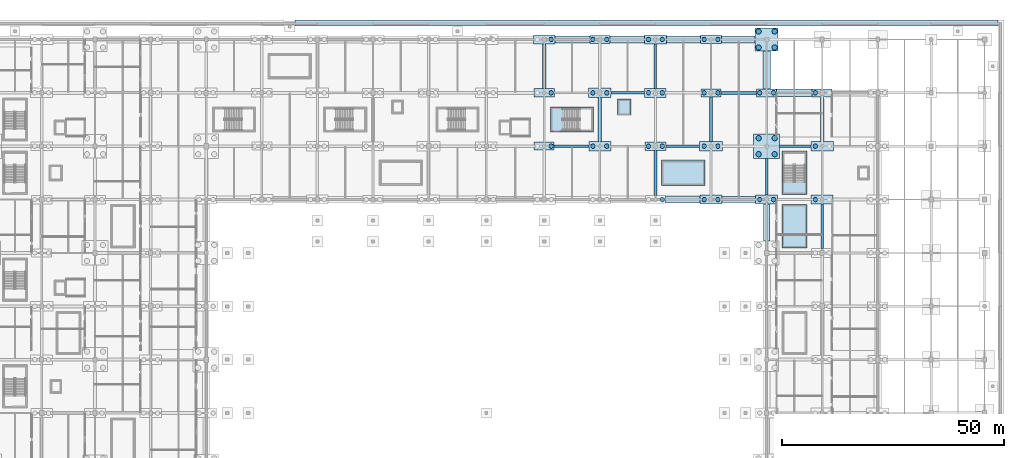
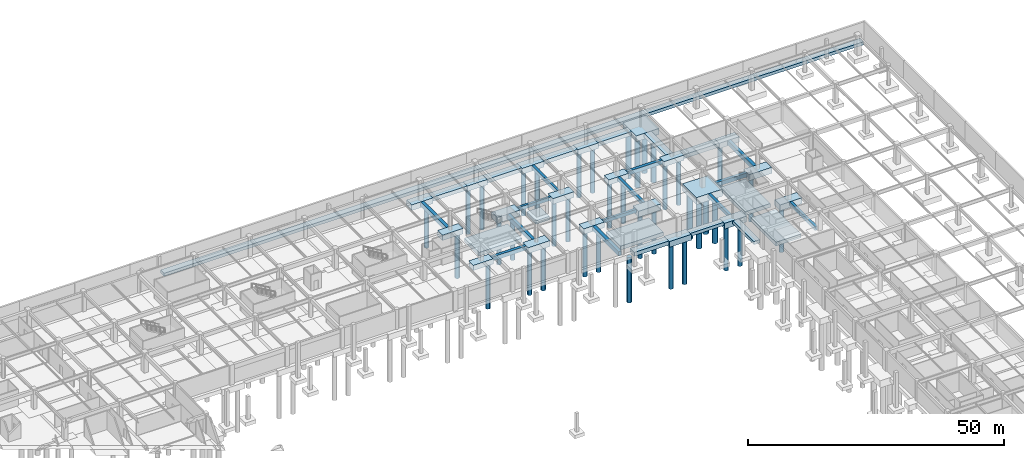
# One storey, part 10 of 56: 48 footings, 39 piles.
"""IFC4 building model written with IfcOpenShell, lengths in metres."""

from ifc_helpers import new_model, si_unit, direction, frame, origin, origin_2d, place, context, subcontext, project, spatial, polyline, rectangle, circle, outline, extrude, material, material_profile, profile_set, type_object, element, save


model = new_model("IFC4")

# Units and contexts
model_context = context("Model", 3, precision=1e-05, world=origin(), true_north=direction((0.0, 1.0)))
body_context = subcontext(model_context, "Body", "Model", "MODEL_VIEW")
ifc_project = project(units=[si_unit("LENGTHUNIT", "METRE"), si_unit("AREAUNIT", "SQUARE_METRE"), si_unit("VOLUMEUNIT", "CUBIC_METRE"), si_unit("PLANEANGLEUNIT", "RADIAN"), si_unit("MASSUNIT", "GRAM", prefix="KILO")], contexts=[model_context])

# Site, building, storey
site_placement = place(None, origin())
site = spatial("IfcSite", under=ifc_project, at=site_placement, CompositionType="ELEMENT")
building_placement = place(site_placement, origin())
building = spatial("IfcBuilding", under=site, at=building_placement, Name="Kazenohara Klinker Stadium", CompositionType="ELEMENT")
storey_placement = place(building_placement, frame((0.0, 0.0, -4.800048828125)))
storey = spatial("IfcBuildingStorey", under=building, at=storey_placement, Name="B01", CompositionType="ELEMENT", Elevation=-4.800048828125)

# Footings
ifc_material = material(Name="Concrete C35/45", Category="concrete")
footing_type_1 = type_object("IfcFootingType", Name="CAP-PC01", PredefinedType="PILE_CAP", material=ifc_material)
for number, where, z_axis, x_axis, name in (
    (1, (125.0, 144.0, -1.25), (0.0, 0.0, 1.0), (1.0, 0.0, 0.0), "Pile cap PC01 at 11/N"),
    (2, (137.5, 168.0, -1.25), (0.0, 0.0, 1.0), (1.0, 0.0, 0.0), "Pile cap PC01 at 12/Q"),
    (3, (162.5, 156.0, -1.25), (0.0, 0.0, 1.0), (1.0, 0.0, 0.0), "Pile cap PC01 at 14/P"),
    (4, (175.0, 156.0, -1.25), (0.0, 0.0, 1.0), (1.0, 0.0, 0.0), "Pile cap PC01 at 15/P"),
    (5, (187.5, 156.0, -1.25), (0.0, 0.0, 1.0), (1.0, 0.0, 0.0), "Pile cap PC01 at 16/P"),
):
    element("IfcFooting", number, at=place(storey_placement, frame(where, z_axis=z_axis, x_axis=x_axis)), inside=storey, type_object=footing_type_1, Name=name, PredefinedType="PILE_CAP", context=body_context, shape_type="SweptSolid", body=[
        extrude(rectangle(XDim=4.5, YDim=1.800048828125, at=origin_2d()), origin(), (0.0, 0.0, 1.0), 1.25),
    ])
footing_type_2 = type_object("IfcFootingType", Name="CAP-PC02", PredefinedType="PILE_CAP", material=ifc_material)
for number, where, z_axis, x_axis, name in (
    (6, (125.0, 156.0, -1.2998046875), (0.0, 0.0, 1.0), (1.0, 0.0, 0.0), "Pile cap PC02 at 11/P"),
    (7, (150.0, 144.0, -1.2998046875), (0.0, 0.0, 1.0), (1.0, 0.0, 0.0), "Pile cap PC02 at 13/N"),
    (8, (162.5, 168.0, -1.2998046875), (0.0, 0.0, 1.0), (1.0, 0.0, 0.0), "Pile cap PC02 at 14/Q"),
):
    element("IfcFooting", number, at=place(storey_placement, frame(where, z_axis=z_axis, x_axis=x_axis)), inside=storey, type_object=footing_type_2, Name=name, PredefinedType="PILE_CAP", context=body_context, shape_type="SweptSolid", body=[
        extrude(rectangle(XDim=4.64990234375, YDim=1.89990234375, at=origin_2d()), origin(), (0.0, 0.0, 1.0), 1.300048828125),
    ])
footing_type_3 = type_object("IfcFootingType", Name="CAP-PC03", PredefinedType="PILE_CAP", material=ifc_material)
for number, where, z_axis, x_axis, name in (
    (9, (125.0, 168.0, -1.35009765625), (0.0, 0.0, 1.0), (1.0, 0.0, 0.0), "Pile cap PC03 at 11/Q"),
    (10, (150.0, 156.0, -1.35009765625), (0.0, 0.0, 1.0), (1.0, 0.0, 0.0), "Pile cap PC03 at 13/P"),
):
    element("IfcFooting", number, at=place(storey_placement, frame(where, z_axis=z_axis, x_axis=x_axis)), inside=storey, type_object=footing_type_3, Name=name, PredefinedType="PILE_CAP", context=body_context, shape_type="SweptSolid", body=[
        extrude(rectangle(XDim=4.800048828125, YDim=2.0, at=origin_2d()), origin(), (0.0, 0.0, 1.0), 1.35009765625),
    ])
footing_type_4 = type_object("IfcFootingType", Name="CAP-PC04", PredefinedType="PILE_CAP", material=ifc_material)
for number, where, z_axis, x_axis, name in (
    (11, (137.5, 144.0, -1.39990234375), (0.0, 0.0, 1.0), (1.0, 0.0, 0.0), "Pile cap PC04 at 12/N"),
    (12, (150.0, 168.0, -1.39990234375), (0.0, 0.0, 1.0), (1.0, 0.0, 0.0), "Pile cap PC04 at 13/Q"),
    (13, (162.5, 132.0, -1.39990234375), (0.0, 0.0, 1.0), (1.0, 0.0, 0.0), "Pile cap PC04 at 14/M"),
    (14, (175.0, 132.0, -1.39990234375), (0.0, 0.0, 1.0), (1.0, 0.0, 0.0), "Pile cap PC04 at 15/M"),
    (15, (187.5, 132.0, -1.39990234375), (0.0, 0.0, 1.0), (1.0, 0.0, 0.0), "Pile cap PC04 at 16/M"),
):
    element("IfcFooting", number, at=place(storey_placement, frame(where, z_axis=z_axis, x_axis=x_axis)), inside=storey, type_object=footing_type_4, Name=name, PredefinedType="PILE_CAP", context=body_context, shape_type="SweptSolid", body=[
        extrude(rectangle(XDim=4.949951171875, YDim=2.10009765625, at=origin_2d()), origin(), (0.0, 0.0, 1.0), 1.39990234375),
    ])
footing_type_5 = type_object("IfcFootingType", Name="CAP-PC05", PredefinedType="PILE_CAP", material=ifc_material)
for number, where, z_axis, x_axis, name in (
    (16, (137.5, 156.0, -1.44970703125), (0.0, 0.0, 1.0), (1.0, 0.0, 0.0), "Pile cap PC05 at 12/P"),
    (17, (162.5, 144.0, -1.44970703125), (0.0, 0.0, 1.0), (1.0, 0.0, 0.0), "Pile cap PC05 at 14/N"),
    (18, (187.5, 144.0, -1.44970703125), (0.0, 0.0, 1.0), (1.0, 0.0, 0.0), "Pile cap PC05 at 16/N"),
):
    element("IfcFooting", number, at=place(storey_placement, frame(where, z_axis=z_axis, x_axis=x_axis)), inside=storey, type_object=footing_type_5, Name=name, PredefinedType="PILE_CAP", context=body_context, shape_type="SweptSolid", body=[
        extrude(rectangle(XDim=5.10009765625, YDim=2.199951171875, at=origin_2d()), origin(), (0.0, 0.0, 1.0), 1.449951171875),
    ])
footing_type_6 = type_object("IfcFootingType", Name="CAP-PC06", PredefinedType="PILE_CAP", material=ifc_material)
footing_1_placement = place(storey_placement, frame((175.0, 168.0, -1.39990234375), z_axis=(0.0, 0.0, 1.0), x_axis=(1.0, 0.0, 0.0)))
element("IfcFooting", 19, at=footing_1_placement, inside=storey, type_object=footing_type_6, Name="Pile cap PC06 at 15/Q", PredefinedType="PILE_CAP", context=body_context, shape_type="SweptSolid", body=[
    extrude(rectangle(XDim=5.199951171875, YDim=5.199951171875, at=origin_2d()), origin(), (0.0, 0.0, 1.0), 1.39990234375),
])
footing_type_7 = type_object("IfcFootingType", Name="CAP-PC11", PredefinedType="PILE_CAP", material=ifc_material)
footing_2_placement = place(storey_placement, frame((175.0, 144.0, -1.64990234375), z_axis=(0.0, 0.0, 1.0), x_axis=(1.0, 0.0, 0.0)))
element("IfcFooting", 20, at=footing_2_placement, inside=storey, type_object=footing_type_7, Name="Pile cap PC11 at 15/N", PredefinedType="PILE_CAP", context=body_context, shape_type="SweptSolid", body=[
    extrude(rectangle(XDim=5.85009765625, YDim=5.5, at=origin_2d()), origin(), (0.0, 0.0, 1.0), 1.64990234375),
])
footing_type_8 = type_object("IfcFootingType", Name="GBEAM-GB01", PredefinedType="FOOTING_BEAM", material=ifc_material)
footing_3_placement = place(storey_placement, frame((0.0, 0.0, -0.800048828125)))
element("IfcFooting", 21, at=footing_3_placement, inside=storey, type_object=footing_type_8, Name="Foundation tie beam GB01 12-13/P", PredefinedType="FOOTING_BEAM", context=body_context, shape_type="SweptSolid", body=[
    extrude(outline(polyline([(140.050048828125, 155.75), (147.60009765625, 155.75), (147.60009765625, 156.25), (140.050048828125, 156.25), (140.050048828125, 155.75)])), origin(), (0.0, 0.0, 1.0), 0.800048828125),
])
footing_4_placement = place(storey_placement, frame((0.0, 0.0, -0.800048828125)))
element("IfcFooting", 22, at=footing_4_placement, inside=storey, type_object=footing_type_8, Name="Foundation tie beam GB01 13-14/N", PredefinedType="FOOTING_BEAM", context=body_context, shape_type="SweptSolid", body=[
    extrude(outline(polyline([(152.324951171875, 143.75), (159.949951171875, 143.75), (159.949951171875, 144.25), (152.324951171875, 144.25), (152.324951171875, 143.75)])), origin(), (0.0, 0.0, 1.0), 0.800048828125),
])
footing_type_9 = type_object("IfcFootingType", Name="GBEAM-GB02", PredefinedType="FOOTING_BEAM", material=ifc_material)
footing_5_placement = place(storey_placement, frame((0.0, 0.0, -0.8798828125)))
element("IfcFooting", 23, at=footing_5_placement, inside=storey, type_object=footing_type_9, Name="Foundation tie beam GB02 13/P-Q", PredefinedType="FOOTING_BEAM", context=body_context, shape_type="SweptSolid", body=[
    extrude(outline(polyline([(149.7099609375, 157.0), (150.2900390625, 157.0), (150.2900390625, 166.949951171875), (149.7099609375, 166.949951171875), (149.7099609375, 157.0)])), origin(), (0.0, 0.0, 1.0), 0.8798828125),
])
footing_6_placement = place(storey_placement, frame((0.0, 0.0, -0.8798828125)))
element("IfcFooting", 24, at=footing_6_placement, inside=storey, type_object=footing_type_9, Name="Foundation tie beam GB02 14/N-P", PredefinedType="FOOTING_BEAM", context=body_context, shape_type="SweptSolid", body=[
    extrude(outline(polyline([(162.2099609375, 145.10009765625), (162.7900390625, 145.10009765625), (162.7900390625, 155.10009765625), (162.2099609375, 155.10009765625), (162.2099609375, 145.10009765625)])), origin(), (0.0, 0.0, 1.0), 0.8798828125),
])
footing_7_placement = place(storey_placement, frame((0.0, 0.0, -0.8798828125)))
element("IfcFooting", 25, at=footing_7_placement, inside=storey, type_object=footing_type_9, Name="Foundation tie beam GB02 15/M-N", PredefinedType="FOOTING_BEAM", context=body_context, shape_type="SweptSolid", body=[
    extrude(outline(polyline([(174.7099609375, 133.050048828125), (175.2900390625, 133.050048828125), (175.2900390625, 141.25), (174.7099609375, 141.25), (174.7099609375, 133.050048828125)])), origin(), (0.0, 0.0, 1.0), 0.8798828125),
])
footing_8_placement = place(storey_placement, frame((0.0, 0.0, -0.8798828125)))
element("IfcFooting", 26, at=footing_8_placement, inside=storey, type_object=footing_type_9, Name="Foundation tie beam GB02 16/L-M", PredefinedType="FOOTING_BEAM", context=body_context, shape_type="SweptSolid", body=[
    extrude(outline(polyline([(187.2099609375, 121.0), (187.7900390625, 121.0), (187.7900390625, 130.949951171875), (187.2099609375, 130.949951171875), (187.2099609375, 121.0)])), origin(), (0.0, 0.0, 1.0), 0.8798828125),
])
footing_type_10 = type_object("IfcFootingType", Name="GBEAM-GB03", PredefinedType="FOOTING_BEAM", material=ifc_material)
footing_9_placement = place(storey_placement, frame((0.0, 0.0, -0.9599609375)))
element("IfcFooting", 27, at=footing_9_placement, inside=storey, type_object=footing_type_10, Name="Foundation tie beam GB03 11-12/N", PredefinedType="FOOTING_BEAM", context=body_context, shape_type="SweptSolid", body=[
    extrude(outline(polyline([(127.25, 143.675048828125), (135.02490234375, 143.675048828125), (135.02490234375, 144.324951171875), (127.25, 144.324951171875), (127.25, 143.675048828125)])), origin(), (0.0, 0.0, 1.0), 0.9599609375),
])
footing_10_placement = place(storey_placement, frame((0.0, 0.0, -0.9599609375)))
element("IfcFooting", 28, at=footing_10_placement, inside=storey, type_object=footing_type_10, Name="Foundation tie beam GB03 14-15/P", PredefinedType="FOOTING_BEAM", context=body_context, shape_type="SweptSolid", body=[
    extrude(outline(polyline([(164.75, 155.675048828125), (172.75, 155.675048828125), (172.75, 156.324951171875), (164.75, 156.324951171875), (164.75, 155.675048828125)])), origin(), (0.0, 0.0, 1.0), 0.9599609375),
])
footing_11_placement = place(storey_placement, frame((0.0, 0.0, -0.9599609375)))
element("IfcFooting", 29, at=footing_11_placement, inside=storey, type_object=footing_type_10, Name="Foundation tie beam GB03 15-16/N", PredefinedType="FOOTING_BEAM", context=body_context, shape_type="SweptSolid", body=[
    extrude(outline(polyline([(177.925048828125, 143.675048828125), (184.949951171875, 143.675048828125), (184.949951171875, 144.324951171875), (177.925048828125, 144.324951171875), (177.925048828125, 143.675048828125)])), origin(), (0.0, 0.0, 1.0), 0.9599609375),
])
footing_type_11 = type_object("IfcFootingType", Name="GBEAM-GB04", PredefinedType="FOOTING_BEAM", material=ifc_material)
footing_12_placement = place(storey_placement, frame((0.0, 0.0, -1.050048828125)))
element("IfcFooting", 30, at=footing_12_placement, inside=storey, type_object=footing_type_11, Name="Foundation tie beam GB04 11/P-Q", PredefinedType="FOOTING_BEAM", context=body_context, shape_type="SweptSolid", body=[
    extrude(outline(polyline([(124.639892578125, 156.949951171875), (125.360107421875, 156.949951171875), (125.360107421875, 167.0), (124.639892578125, 167.0), (124.639892578125, 156.949951171875)])), origin(), (0.0, 0.0, 1.0), 1.050048828125),
])
footing_13_placement = place(storey_placement, frame((0.0, 0.0, -1.050048828125)))
element("IfcFooting", 31, at=footing_13_placement, inside=storey, type_object=footing_type_11, Name="Foundation tie beam GB04 12/N-P", PredefinedType="FOOTING_BEAM", context=body_context, shape_type="SweptSolid", body=[
    extrude(outline(polyline([(137.139892578125, 145.050048828125), (137.860107421875, 145.050048828125), (137.860107421875, 154.89990234375), (137.139892578125, 154.89990234375), (137.139892578125, 145.050048828125)])), origin(), (0.0, 0.0, 1.0), 1.050048828125),
])
footing_14_placement = place(storey_placement, frame((0.0, 0.0, -1.050048828125)))
element("IfcFooting", 32, at=footing_14_placement, inside=storey, type_object=footing_type_11, Name="Foundation tie beam GB04 13/M-N", PredefinedType="FOOTING_BEAM", context=body_context, shape_type="SweptSolid", body=[
    extrude(outline(polyline([(149.639892578125, 132.89990234375), (150.360107421875, 132.89990234375), (150.360107421875, 143.050048828125), (149.639892578125, 143.050048828125), (149.639892578125, 132.89990234375)])), origin(), (0.0, 0.0, 1.0), 1.050048828125),
])
footing_15_placement = place(storey_placement, frame((0.0, 0.0, -1.050048828125)))
element("IfcFooting", 33, at=footing_15_placement, inside=storey, type_object=footing_type_11, Name="Foundation tie beam GB04 16/N-P", PredefinedType="FOOTING_BEAM", context=body_context, shape_type="SweptSolid", body=[
    extrude(outline(polyline([(187.139892578125, 145.10009765625), (187.860107421875, 145.10009765625), (187.860107421875, 155.10009765625), (187.139892578125, 155.10009765625), (187.139892578125, 145.10009765625)])), origin(), (0.0, 0.0, 1.0), 1.050048828125),
])
footing_type_12 = type_object("IfcFootingType", Name="PAD-PF03", PredefinedType="PAD_FOOTING", material=ifc_material)
footing_16_placement = place(storey_placement, frame((0.0, 0.0, -1.5)))
element("IfcFooting", 34, at=footing_16_placement, inside=storey, type_object=footing_type_12, Name="Elevator pit foundation pad LG02", PredefinedType="PAD_FOOTING", context=body_context, shape_type="SweptSolid", body=[
    extrude(outline(polyline([(141.485107421875, 150.985107421875), (144.514892578125, 150.985107421875), (144.514892578125, 154.614990234375), (141.485107421875, 154.614990234375), (141.485107421875, 150.985107421875)])), origin(), (0.0, 0.0, 1.0), 0.85009765625),
])
footing_type_13 = type_object("IfcFootingType", Name="PAD-PF04", PredefinedType="PAD_FOOTING", material=ifc_material)
footing_17_placement = place(storey_placement, frame((0.0, 0.0, -1.550048828125)))
element("IfcFooting", 35, at=footing_17_placement, inside=storey, type_object=footing_type_13, Name="Stairwell core foundation raft ST11", PredefinedType="PAD_FOOTING", context=body_context, shape_type="SweptSolid", body=[
    extrude(outline(polyline([(126.375, 147.155029296875), (136.125, 147.155029296875), (136.125, 152.844970703125), (126.375, 152.844970703125), (126.375, 147.155029296875)])), origin(), (0.0, 0.0, 1.0), 0.900146484375),
])
footing_18_placement = place(storey_placement, frame((0.0, 0.0, -1.550048828125)))
element("IfcFooting", 36, at=footing_18_placement, inside=storey, type_object=footing_type_13, Name="Stairwell core foundation raft ST12", PredefinedType="PAD_FOOTING", context=body_context, shape_type="SweptSolid", body=[
    extrude(outline(polyline([(178.405029296875, 133.135009765625), (184.094970703125, 133.135009765625), (184.094970703125, 142.864990234375), (178.405029296875, 142.864990234375), (178.405029296875, 133.135009765625)])), origin(), (0.0, 0.0, 1.0), 0.900146484375),
])
footing_19_placement = place(storey_placement, frame((0.0, 0.0, -1.550048828125)))
element("IfcFooting", 37, at=footing_19_placement, inside=storey, type_object=footing_type_13, Name="Stairwell core foundation raft ST20", PredefinedType="PAD_FOOTING", context=body_context, shape_type="SweptSolid", body=[
    extrude(outline(polyline([(151.385009765625, 135.155029296875), (161.114990234375, 135.155029296875), (161.114990234375, 140.844970703125), (151.385009765625, 140.844970703125), (151.385009765625, 135.155029296875)])), origin(), (0.0, 0.0, 1.0), 0.900146484375),
])
footing_20_placement = place(storey_placement, frame((0.0, 0.0, -1.550048828125)))
element("IfcFooting", 38, at=footing_20_placement, inside=storey, type_object=footing_type_13, Name="Stairwell core foundation raft ST24", PredefinedType="PAD_FOOTING", context=body_context, shape_type="SweptSolid", body=[
    extrude(outline(polyline([(178.405029296875, 121.135009765625), (184.094970703125, 121.135009765625), (184.094970703125, 130.864990234375), (178.405029296875, 130.864990234375), (178.405029296875, 121.135009765625)])), origin(), (0.0, 0.0, 1.0), 0.900146484375),
])

# Piles
ifc_material_profile_1 = material_profile(ifc_material, circle(Radius=0.5, at=origin_2d()), Name="BORED-PILE-1000")
ifc_profile_set_1 = profile_set([ifc_material_profile_1], Name="Concrete C35/45")
pile_type_1 = type_object("IfcPileType", Name="PILE-P01-1000", PredefinedType="BORED", material=ifc_profile_set_1)
pile_1_placement = place(storey_placement, frame((126.550048828125, 144.0, -1.14990234375), z_axis=(0.0, 0.0, -1.0), x_axis=(1.0, 0.0, 0.0)))
element("IfcPile", 39, at=pile_1_placement, inside=storey, type_object=pile_type_1, Name="Bored pile P01-1012-2", PredefinedType="BORED", context=body_context, shape_type="SweptSolid", body=[
    extrude(circle(Radius=0.5, at=origin_2d()), origin(), (0.0, 0.0, 1.0), 10.85009765625),
])
pile_2_placement = place(storey_placement, frame((126.550048828125, 156.0, -1.199951171875), z_axis=(0.0, 0.0, -1.0), x_axis=(1.0, 0.0, 0.0)))
element("IfcPile", 40, at=pile_2_placement, inside=storey, type_object=pile_type_1, Name="Bored pile P01-1013-2", PredefinedType="BORED", context=body_context, shape_type="SweptSolid", body=[
    extrude(circle(Radius=0.5, at=origin_2d()), origin(), (0.0, 0.0, 1.0), 10.800048828125),
])
pile_3_placement = place(storey_placement, frame((126.550048828125, 168.0, -1.25), z_axis=(0.0, 0.0, -1.0), x_axis=(1.0, 0.0, 0.0)))
element("IfcPile", 41, at=pile_3_placement, inside=storey, type_object=pile_type_1, Name="Bored pile P01-1014-2", PredefinedType="BORED", context=body_context, shape_type="SweptSolid", body=[
    extrude(circle(Radius=0.5, at=origin_2d()), origin(), (0.0, 0.0, 1.0), 10.75),
])
for number, where, z_axis, x_axis, name in (
    (42, (135.949951171875, 144.0, -1.300048828125), (0.0, 0.0, -1.0), (1.0, 0.0, 0.0), "Bored pile P01-1112-1"),
    (43, (139.050048828125, 144.0, -1.300048828125), (0.0, 0.0, -1.0), (1.0, 0.0, 0.0), "Bored pile P01-1112-2"),
):
    element("IfcPile", number, at=place(storey_placement, frame(where, z_axis=z_axis, x_axis=x_axis)), inside=storey, type_object=pile_type_1, Name=name, PredefinedType="BORED", context=body_context, shape_type="SweptSolid", body=[
        extrude(circle(Radius=0.5, at=origin_2d()), origin(), (0.0, 0.0, 1.0), 10.699951171875),
    ])
for number, where, z_axis, x_axis, name in (
    (44, (135.949951171875, 156.0, -1.349853515625), (0.0, 0.0, -1.0), (1.0, 0.0, 0.0), "Bored pile P01-1113-1"),
    (45, (139.050048828125, 156.0, -1.349853515625), (0.0, 0.0, -1.0), (1.0, 0.0, 0.0), "Bored pile P01-1113-2"),
):
    element("IfcPile", number, at=place(storey_placement, frame(where, z_axis=z_axis, x_axis=x_axis)), inside=storey, type_object=pile_type_1, Name=name, PredefinedType="BORED", context=body_context, shape_type="SweptSolid", body=[
        extrude(circle(Radius=0.5, at=origin_2d()), origin(), (0.0, 0.0, 1.0), 10.64990234375),
    ])
for number, where, z_axis, x_axis, name in (
    (46, (135.949951171875, 168.0, -1.14990234375), (0.0, 0.0, -1.0), (1.0, 0.0, 0.0), "Bored pile P01-1114-1"),
    (47, (139.050048828125, 168.0, -1.14990234375), (0.0, 0.0, -1.0), (1.0, 0.0, 0.0), "Bored pile P01-1114-2"),
    (48, (151.550048828125, 132.0, -1.14990234375), (0.0, 0.0, -1.0), (1.0, 0.0, 0.0), "Bored pile P01-1211-2"),
):
    element("IfcPile", number, at=place(storey_placement, frame(where, z_axis=z_axis, x_axis=x_axis)), inside=storey, type_object=pile_type_1, Name=name, PredefinedType="BORED", context=body_context, shape_type="SweptSolid", body=[
        extrude(circle(Radius=0.5, at=origin_2d()), origin(), (0.0, 0.0, 1.0), 10.85009765625),
    ])
for number, where, z_axis, x_axis, name in (
    (49, (148.449951171875, 144.0, -1.199951171875), (0.0, 0.0, -1.0), (1.0, 0.0, 0.0), "Bored pile P01-1212-1"),
    (50, (151.550048828125, 144.0, -1.199951171875), (0.0, 0.0, -1.0), (1.0, 0.0, 0.0), "Bored pile P01-1212-2"),
):
    element("IfcPile", number, at=place(storey_placement, frame(where, z_axis=z_axis, x_axis=x_axis)), inside=storey, type_object=pile_type_1, Name=name, PredefinedType="BORED", context=body_context, shape_type="SweptSolid", body=[
        extrude(circle(Radius=0.5, at=origin_2d()), origin(), (0.0, 0.0, 1.0), 10.800048828125),
    ])
for number, where, z_axis, x_axis, name in (
    (51, (148.449951171875, 156.0, -1.25), (0.0, 0.0, -1.0), (1.0, 0.0, 0.0), "Bored pile P01-1213-1"),
    (52, (151.550048828125, 156.0, -1.25), (0.0, 0.0, -1.0), (1.0, 0.0, 0.0), "Bored pile P01-1213-2"),
):
    element("IfcPile", number, at=place(storey_placement, frame(where, z_axis=z_axis, x_axis=x_axis)), inside=storey, type_object=pile_type_1, Name=name, PredefinedType="BORED", context=body_context, shape_type="SweptSolid", body=[
        extrude(circle(Radius=0.5, at=origin_2d()), origin(), (0.0, 0.0, 1.0), 10.75),
    ])
for number, where, z_axis, x_axis, name in (
    (53, (148.449951171875, 168.0, -1.300048828125), (0.0, 0.0, -1.0), (1.0, 0.0, 0.0), "Bored pile P01-1214-1"),
    (54, (151.550048828125, 168.0, -1.300048828125), (0.0, 0.0, -1.0), (1.0, 0.0, 0.0), "Bored pile P01-1214-2"),
    (55, (160.949951171875, 132.0, -1.300048828125), (0.0, 0.0, -1.0), (1.0, 0.0, 0.0), "Bored pile P01-1311-1"),
    (56, (164.050048828125, 132.0, -1.300048828125), (0.0, 0.0, -1.0), (1.0, 0.0, 0.0), "Bored pile P01-1311-2"),
):
    element("IfcPile", number, at=place(storey_placement, frame(where, z_axis=z_axis, x_axis=x_axis)), inside=storey, type_object=pile_type_1, Name=name, PredefinedType="BORED", context=body_context, shape_type="SweptSolid", body=[
        extrude(circle(Radius=0.5, at=origin_2d()), origin(), (0.0, 0.0, 1.0), 10.699951171875),
    ])
for number, where, z_axis, x_axis, name in (
    (57, (160.949951171875, 144.0, -1.349853515625), (0.0, 0.0, -1.0), (1.0, 0.0, 0.0), "Bored pile P01-1312-1"),
    (58, (164.050048828125, 144.0, -1.349853515625), (0.0, 0.0, -1.0), (1.0, 0.0, 0.0), "Bored pile P01-1312-2"),
):
    element("IfcPile", number, at=place(storey_placement, frame(where, z_axis=z_axis, x_axis=x_axis)), inside=storey, type_object=pile_type_1, Name=name, PredefinedType="BORED", context=body_context, shape_type="SweptSolid", body=[
        extrude(circle(Radius=0.5, at=origin_2d()), origin(), (0.0, 0.0, 1.0), 10.64990234375),
    ])
for number, where, z_axis, x_axis, name in (
    (59, (160.949951171875, 156.0, -1.14990234375), (0.0, 0.0, -1.0), (1.0, 0.0, 0.0), "Bored pile P01-1313-1"),
    (60, (164.050048828125, 156.0, -1.14990234375), (0.0, 0.0, -1.0), (1.0, 0.0, 0.0), "Bored pile P01-1313-2"),
):
    element("IfcPile", number, at=place(storey_placement, frame(where, z_axis=z_axis, x_axis=x_axis)), inside=storey, type_object=pile_type_1, Name=name, PredefinedType="BORED", context=body_context, shape_type="SweptSolid", body=[
        extrude(circle(Radius=0.5, at=origin_2d()), origin(), (0.0, 0.0, 1.0), 10.85009765625),
    ])
for number, where, z_axis, x_axis, name in (
    (61, (160.949951171875, 168.0, -1.199951171875), (0.0, 0.0, -1.0), (1.0, 0.0, 0.0), "Bored pile P01-1314-1"),
    (62, (164.050048828125, 168.0, -1.199951171875), (0.0, 0.0, -1.0), (1.0, 0.0, 0.0), "Bored pile P01-1314-2"),
):
    element("IfcPile", number, at=place(storey_placement, frame(where, z_axis=z_axis, x_axis=x_axis)), inside=storey, type_object=pile_type_1, Name=name, PredefinedType="BORED", context=body_context, shape_type="SweptSolid", body=[
        extrude(circle(Radius=0.5, at=origin_2d()), origin(), (0.0, 0.0, 1.0), 10.800048828125),
    ])
for number, where, z_axis, x_axis, name in (
    (63, (173.449951171875, 132.0, -1.300048828125), (0.0, 0.0, -1.0), (1.0, 0.0, 0.0), "Bored pile P01-1411-1"),
    (64, (176.550048828125, 132.0, -1.300048828125), (0.0, 0.0, -1.0), (1.0, 0.0, 0.0), "Bored pile P01-1411-2"),
):
    element("IfcPile", number, at=place(storey_placement, frame(where, z_axis=z_axis, x_axis=x_axis)), inside=storey, type_object=pile_type_1, Name=name, PredefinedType="BORED", context=body_context, shape_type="SweptSolid", body=[
        extrude(circle(Radius=0.5, at=origin_2d()), origin(), (0.0, 0.0, 1.0), 10.699951171875),
    ])
for number, where, z_axis, x_axis, name in (
    (65, (173.449951171875, 156.0, -1.14990234375), (0.0, 0.0, -1.0), (1.0, 0.0, 0.0), "Bored pile P01-1413-1"),
    (66, (176.550048828125, 156.0, -1.14990234375), (0.0, 0.0, -1.0), (1.0, 0.0, 0.0), "Bored pile P01-1413-2"),
):
    element("IfcPile", number, at=place(storey_placement, frame(where, z_axis=z_axis, x_axis=x_axis)), inside=storey, type_object=pile_type_1, Name=name, PredefinedType="BORED", context=body_context, shape_type="SweptSolid", body=[
        extrude(circle(Radius=0.5, at=origin_2d()), origin(), (0.0, 0.0, 1.0), 10.85009765625),
    ])
pile_4_placement = place(storey_placement, frame((185.949951171875, 132.0, -1.300048828125), z_axis=(0.0, 0.0, -1.0), x_axis=(1.0, 0.0, 0.0)))
element("IfcPile", 67, at=pile_4_placement, inside=storey, type_object=pile_type_1, Name="Bored pile P01-1511-1", PredefinedType="BORED", context=body_context, shape_type="SweptSolid", body=[
    extrude(circle(Radius=0.5, at=origin_2d()), origin(), (0.0, 0.0, 1.0), 10.699951171875),
])
pile_5_placement = place(storey_placement, frame((185.949951171875, 144.0, -1.349853515625), z_axis=(0.0, 0.0, -1.0), x_axis=(1.0, 0.0, 0.0)))
element("IfcPile", 68, at=pile_5_placement, inside=storey, type_object=pile_type_1, Name="Bored pile P01-1512-1", PredefinedType="BORED", context=body_context, shape_type="SweptSolid", body=[
    extrude(circle(Radius=0.5, at=origin_2d()), origin(), (0.0, 0.0, 1.0), 10.64990234375),
])
pile_6_placement = place(storey_placement, frame((185.949951171875, 156.0, -1.14990234375), z_axis=(0.0, 0.0, -1.0), x_axis=(1.0, 0.0, 0.0)))
element("IfcPile", 69, at=pile_6_placement, inside=storey, type_object=pile_type_1, Name="Bored pile P01-1513-1", PredefinedType="BORED", context=body_context, shape_type="SweptSolid", body=[
    extrude(circle(Radius=0.5, at=origin_2d()), origin(), (0.0, 0.0, 1.0), 10.85009765625),
])
ifc_material_profile_2 = material_profile(ifc_material, circle(Radius=0.60009765625, at=origin_2d()), Name="BORED-PILE-1200")
ifc_profile_set_2 = profile_set([ifc_material_profile_2], Name="Concrete C35/45")
pile_type_2 = type_object("IfcPileType", Name="PILE-P02-1200", PredefinedType="BORED", material=ifc_profile_set_2)
for number, where, z_axis, x_axis, name in (
    (70, (173.199951171875, 142.199951171875, -1.550048828125), (0.0, 0.0, -1.0), (1.0, 0.0, 0.0), "Bored pile P02-1412-1"),
    (71, (176.800048828125, 142.199951171875, -1.550048828125), (0.0, 0.0, -1.0), (1.0, 0.0, 0.0), "Bored pile P02-1412-2"),
    (72, (173.199951171875, 145.800048828125, -1.550048828125), (0.0, 0.0, -1.0), (1.0, 0.0, 0.0), "Bored pile P02-1412-3"),
    (73, (176.800048828125, 145.800048828125, -1.550048828125), (0.0, 0.0, -1.0), (1.0, 0.0, 0.0), "Bored pile P02-1412-4"),
):
    element("IfcPile", number, at=place(storey_placement, frame(where, z_axis=z_axis, x_axis=x_axis)), inside=storey, type_object=pile_type_2, Name=name, PredefinedType="BORED", context=body_context, shape_type="SweptSolid", body=[
        extrude(circle(Radius=0.60009765625, at=origin_2d()), origin(), (0.0, 0.0, 1.0), 11.25),
    ])
for number, where, z_axis, x_axis, name in (
    (74, (173.199951171875, 166.199951171875, -1.300048828125), (0.0, 0.0, -1.0), (1.0, 0.0, 0.0), "Bored pile P02-1414-1"),
    (75, (176.800048828125, 166.199951171875, -1.300048828125), (0.0, 0.0, -1.0), (1.0, 0.0, 0.0), "Bored pile P02-1414-2"),
    (76, (173.199951171875, 169.800048828125, -1.300048828125), (0.0, 0.0, -1.0), (1.0, 0.0, 0.0), "Bored pile P02-1414-3"),
    (77, (176.800048828125, 169.800048828125, -1.300048828125), (0.0, 0.0, -1.0), (1.0, 0.0, 0.0), "Bored pile P02-1414-4"),
):
    element("IfcPile", number, at=place(storey_placement, frame(where, z_axis=z_axis, x_axis=x_axis)), inside=storey, type_object=pile_type_2, Name=name, PredefinedType="BORED", context=body_context, shape_type="SweptSolid", body=[
        extrude(circle(Radius=0.60009765625, at=origin_2d()), origin(), (0.0, 0.0, 1.0), 11.5),
    ])

# Footings
footing_type_14 = type_object("IfcFootingType", Name="STRIP-SF01", PredefinedType="STRIP_FOOTING", material=ifc_material)
footing_21_placement = place(storey_placement, frame((0.0, 0.0, -0.75)))
element("IfcFooting", 78, at=footing_21_placement, inside=storey, type_object=footing_type_14, Name="Perimeter strip footing SF01 14-15/M", PredefinedType="STRIP_FOOTING", context=body_context, shape_type="SweptSolid", body=[
    extrude(outline(polyline([(164.97509765625, 131.324951171875), (172.52490234375, 131.324951171875), (172.52490234375, 132.675048828125), (164.97509765625, 132.675048828125), (164.97509765625, 131.324951171875)])), origin(), (0.0, 0.0, 1.0), 0.75),
])
footing_22_placement = place(storey_placement, frame((0.0, 0.0, -0.75)))
element("IfcFooting", 79, at=footing_22_placement, inside=storey, type_object=footing_type_14, Name="Perimeter strip footing SF01 15/L-M", PredefinedType="STRIP_FOOTING", context=body_context, shape_type="SweptSolid", body=[
    extrude(outline(polyline([(174.324951171875, 122.699951171875), (175.675048828125, 122.699951171875), (175.675048828125, 130.949951171875), (174.324951171875, 130.949951171875), (174.324951171875, 122.699951171875)])), origin(), (0.0, 0.0, 1.0), 0.75),
])
footing_23_placement = place(storey_placement, frame((0.0, 0.0, -0.75)))
element("IfcFooting", 80, at=footing_23_placement, inside=storey, type_object=footing_type_14, Name="Street plinth strip footing SF01 North-02", PredefinedType="STRIP_FOOTING", context=body_context, shape_type="SweptSolid", body=[
    extrude(outline(polyline([(68.969970703125, 171.02490234375), (227.0, 171.02490234375), (227.0, 172.375), (68.969970703125, 172.375), (68.969970703125, 171.02490234375)])), origin(), (0.0, 0.0, 1.0), 0.75),
])
footing_type_15 = type_object("IfcFootingType", Name="STRIP-SF04", PredefinedType="STRIP_FOOTING", material=ifc_material)
footing_24_placement = place(storey_placement, frame((0.0, 0.0, -0.949951171875)))
element("IfcFooting", 81, at=footing_24_placement, inside=storey, type_object=footing_type_15, Name="Perimeter strip footing SF04 11-12/Q", PredefinedType="STRIP_FOOTING", context=body_context, shape_type="SweptSolid", body=[
    extrude(outline(polyline([(127.39990234375, 167.175048828125), (135.25, 167.175048828125), (135.25, 168.824951171875), (127.39990234375, 168.824951171875), (127.39990234375, 167.175048828125)])), origin(), (0.0, 0.0, 1.0), 0.949951171875),
])
footing_25_placement = place(storey_placement, frame((0.0, 0.0, -0.949951171875)))
element("IfcFooting", 82, at=footing_25_placement, inside=storey, type_object=footing_type_15, Name="Perimeter strip footing SF04 12-13/Q", PredefinedType="STRIP_FOOTING", context=body_context, shape_type="SweptSolid", body=[
    extrude(outline(polyline([(139.75, 167.175048828125), (147.52490234375, 167.175048828125), (147.52490234375, 168.824951171875), (139.75, 168.824951171875), (139.75, 167.175048828125)])), origin(), (0.0, 0.0, 1.0), 0.949951171875),
])
footing_26_placement = place(storey_placement, frame((0.0, 0.0, -0.949951171875)))
element("IfcFooting", 83, at=footing_26_placement, inside=storey, type_object=footing_type_15, Name="Perimeter strip footing SF04 13-14/M", PredefinedType="STRIP_FOOTING", context=body_context, shape_type="SweptSolid", body=[
    extrude(outline(polyline([(152.25, 131.175048828125), (160.02490234375, 131.175048828125), (160.02490234375, 132.824951171875), (152.25, 132.824951171875), (152.25, 131.175048828125)])), origin(), (0.0, 0.0, 1.0), 0.949951171875),
])
footing_27_placement = place(storey_placement, frame((0.0, 0.0, -0.949951171875)))
element("IfcFooting", 84, at=footing_27_placement, inside=storey, type_object=footing_type_15, Name="Perimeter strip footing SF04 13-14/Q", PredefinedType="STRIP_FOOTING", context=body_context, shape_type="SweptSolid", body=[
    extrude(outline(polyline([(152.47509765625, 167.175048828125), (160.175048828125, 167.175048828125), (160.175048828125, 168.824951171875), (152.47509765625, 168.824951171875), (152.47509765625, 167.175048828125)])), origin(), (0.0, 0.0, 1.0), 0.949951171875),
])
footing_28_placement = place(storey_placement, frame((0.0, 0.0, -0.949951171875)))
element("IfcFooting", 85, at=footing_28_placement, inside=storey, type_object=footing_type_15, Name="Perimeter strip footing SF04 14-15/Q", PredefinedType="STRIP_FOOTING", context=body_context, shape_type="SweptSolid", body=[
    extrude(outline(polyline([(164.824951171875, 167.175048828125), (172.39990234375, 167.175048828125), (172.39990234375, 168.824951171875), (164.824951171875, 168.824951171875), (164.824951171875, 167.175048828125)])), origin(), (0.0, 0.0, 1.0), 0.949951171875),
])
footing_29_placement = place(storey_placement, frame((0.0, 0.0, -0.949951171875)))
element("IfcFooting", 86, at=footing_29_placement, inside=storey, type_object=footing_type_15, Name="Perimeter strip footing SF04 15-16/P", PredefinedType="STRIP_FOOTING", context=body_context, shape_type="SweptSolid", body=[
    extrude(outline(polyline([(177.25, 155.175048828125), (185.25, 155.175048828125), (185.25, 156.824951171875), (177.25, 156.824951171875), (177.25, 155.175048828125)])), origin(), (0.0, 0.0, 1.0), 0.949951171875),
])
footing_30_placement = place(storey_placement, frame((0.0, 0.0, -0.949951171875)))
element("IfcFooting", 87, at=footing_30_placement, inside=storey, type_object=footing_type_15, Name="Perimeter strip footing SF04 15/P-Q", PredefinedType="STRIP_FOOTING", context=body_context, shape_type="SweptSolid", body=[
    extrude(outline(polyline([(174.175048828125, 156.89990234375), (175.824951171875, 156.89990234375), (175.824951171875, 165.39990234375), (174.175048828125, 165.39990234375), (174.175048828125, 156.89990234375)])), origin(), (0.0, 0.0, 1.0), 0.949951171875),
])

save(model, "model.ifc")
